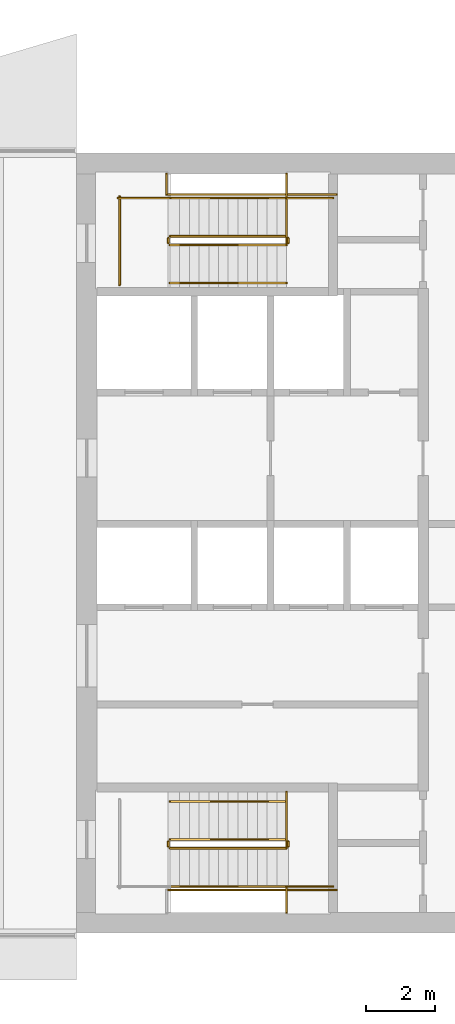
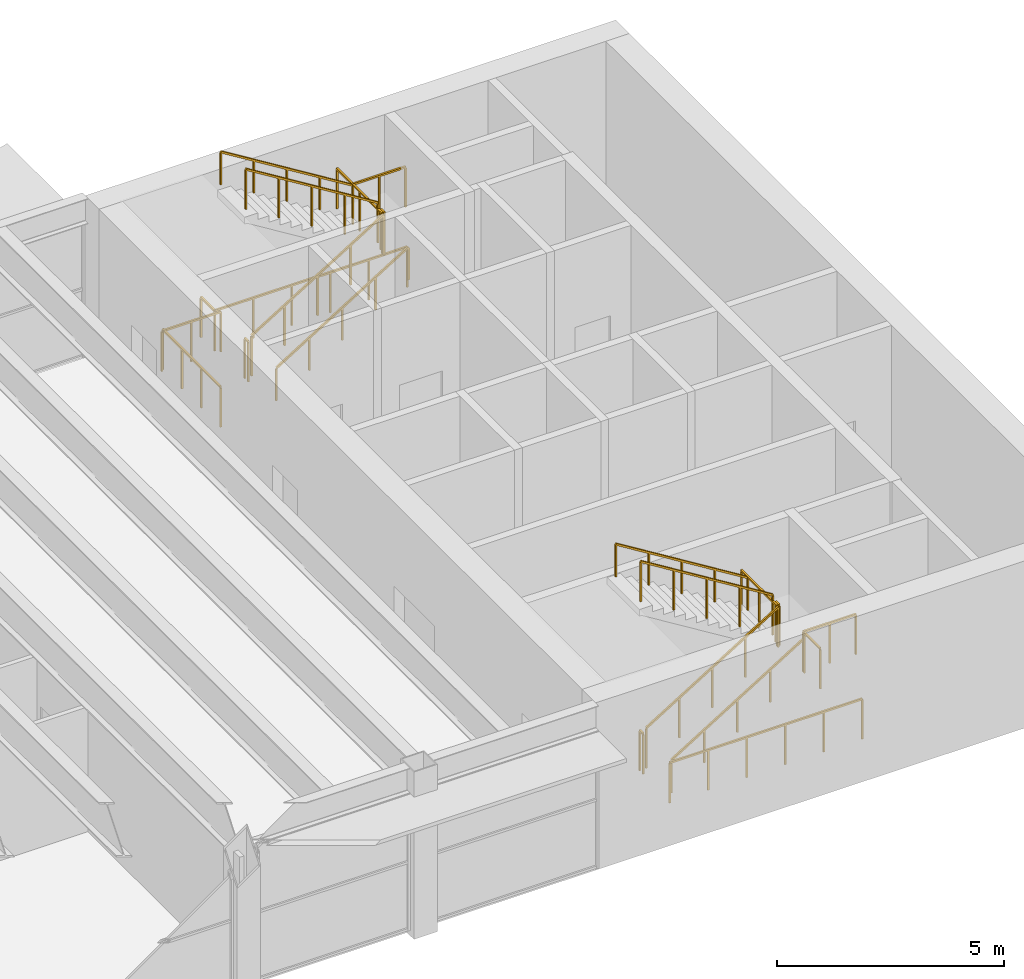
# One storey, part 14 of 14: 22 railings.
"""IFC4 building model written with IfcOpenShell, lengths in metres."""

from ifc_helpers import new_model, si_unit, direction, frame, origin, origin_2d, place, context, subcontext, project, spatial, rectangle, extrude, material, type_object, element, save


model = new_model("IFC4")

# Units and contexts
model_context = context("Model", 3, precision=1e-05, world=origin(), true_north=direction((0.0, 1.0)))
body_context = subcontext(model_context, "Body", "Model", "MODEL_VIEW")
ifc_project = project(units=[si_unit("LENGTHUNIT", "METRE"), si_unit("AREAUNIT", "SQUARE_METRE"), si_unit("VOLUMEUNIT", "CUBIC_METRE"), si_unit("PLANEANGLEUNIT", "RADIAN"), si_unit("MASSUNIT", "GRAM", prefix="KILO")], contexts=[model_context])

# Site, building, storey
site_placement = place(None, origin())
site = spatial("IfcSite", under=ifc_project, at=site_placement, CompositionType="ELEMENT")
building_placement = place(site_placement, origin())
building = spatial("IfcBuilding", under=site, at=building_placement, Name="Sennacour Bend Tower", CompositionType="ELEMENT")
storey_placement = place(building_placement, frame((0.0, 0.0, 336.5)))
storey = spatial("IfcBuildingStorey", under=building, at=storey_placement, Name="L77", CompositionType="ELEMENT", Elevation=336.5)

# Railings
ifc_material = material(Name="Stainless steel", Category="steel")
railing_type_1 = type_object("IfcRailingType", Name="RL-GUARD-1100", PredefinedType="GUARDRAIL", material=ifc_material)
railing_1_placement = place(storey_placement, frame((56.699951171875, 2.449951171875, 0.173095703125)))
element("IfcRailing", 1, at=railing_1_placement, inside=storey, type_object=railing_type_1, Name="L77 SA1 stair guard 1", PredefinedType="GUARDRAIL", context=body_context, shape_type="SweptSolid", body=[
    extrude(rectangle(XDim=0.048095703125, YDim=0.048095703125, at=origin_2d()), frame((0.0, 0.0, 1.076171875), z_axis=(0.850623216509, 0.0, 0.525775754039), x_axis=(0.0, 1.0, 0.0)), (0.0, 0.0, 1.0), 3.9501953125),
    extrude(rectangle(XDim=0.0419921875, YDim=0.0419921875, at=origin_2d()), origin(), (0.0, 0.0, 1.0), 1.052001953125),
    extrude(rectangle(XDim=0.0419921875, YDim=0.0419921875, at=origin_2d()), frame((0.840087890625, 0.0, 0.519287109375)), (0.0, 0.0, 1.0), 1.052001953125),
    extrude(rectangle(XDim=0.0419921875, YDim=0.0419921875, at=origin_2d()), frame((1.68017578125, 0.0, 1.03857421875)), (0.0, 0.0, 1.0), 1.052001953125),
    extrude(rectangle(XDim=0.0419921875, YDim=0.0419921875, at=origin_2d()), frame((2.52001953125, 0.0, 1.5576171875)), (0.0, 0.0, 1.0), 1.052001953125),
    extrude(rectangle(XDim=0.0419921875, YDim=0.0419921875, at=origin_2d()), frame((3.360107421875, 0.0, 2.076904296875)), (0.0, 0.0, 1.0), 1.052001953125),
])
railing_2_placement = place(storey_placement, frame((60.110107421875, 2.5, 2.25)))
element("IfcRailing", 2, at=railing_2_placement, inside=storey, type_object=railing_type_1, Name="L77 SA1 stair guard 2", PredefinedType="GUARDRAIL", context=body_context, shape_type="SweptSolid", body=[
    extrude(rectangle(XDim=0.048095703125, YDim=0.048095703125, at=origin_2d()), frame((0.0, 0.0, 1.076171875), z_axis=(0.0, 1.0, 0.0), x_axis=(-1.0, 0.0, 0.0)), (0.0, 0.0, 1.0), 0.14990234375),
    extrude(rectangle(XDim=0.0419921875, YDim=0.0419921875, at=origin_2d()), origin(), (0.0, 0.0, 1.0), 1.052001953125),
    extrude(rectangle(XDim=0.0419921875, YDim=0.0419921875, at=origin_2d()), frame((0.0, 0.14990234375, 0.0)), (0.0, 0.0, 1.0), 1.052001953125),
])
railing_3_placement = place(storey_placement, frame((60.06005859375, 1.35009765625, 2.25)))
element("IfcRailing", 3, at=railing_3_placement, inside=storey, type_object=railing_type_1, Name="L77 SA1 stair guard 3", PredefinedType="GUARDRAIL", context=body_context, shape_type="SweptSolid", body=[
    extrude(rectangle(XDim=0.048095703125, YDim=0.048095703125, at=origin_2d()), frame((0.0, 0.0, 1.076171875), z_axis=(1.0, 0.0, 0.0), x_axis=(0.0, 1.0, 0.0)), (0.0, 0.0, 1.0), 1.33984375),
    extrude(rectangle(XDim=0.0419921875, YDim=0.0419921875, at=origin_2d()), origin(), (0.0, 0.0, 1.0), 1.052001953125),
    extrude(rectangle(XDim=0.0419921875, YDim=0.0419921875, at=origin_2d()), frame((0.669921875, 0.0, 0.0)), (0.0, 0.0, 1.0), 1.052001953125),
    extrude(rectangle(XDim=0.0419921875, YDim=0.0419921875, at=origin_2d()), frame((1.33984375, 0.0, 0.0)), (0.0, 0.0, 1.0), 1.052001953125),
])
railing_4_placement = place(storey_placement, frame((60.06005859375, 2.699951171875, 2.423095703125)))
element("IfcRailing", 4, at=railing_4_placement, inside=storey, type_object=railing_type_1, Name="L77 SA1 stair guard 4", PredefinedType="GUARDRAIL", context=body_context, shape_type="SweptSolid", body=[
    extrude(rectangle(XDim=0.048095703125, YDim=0.048095703125, at=origin_2d()), frame((0.0, 0.0, 1.076171875), z_axis=(-0.850623216509, 0.0, 0.525775754039), x_axis=(0.0, -1.0, 0.0)), (0.0, 0.0, 1.0), 3.9501953125),
    extrude(rectangle(XDim=0.0419921875, YDim=0.0419921875, at=origin_2d()), origin(), (0.0, 0.0, 1.0), 1.052001953125),
    extrude(rectangle(XDim=0.0419921875, YDim=0.0419921875, at=origin_2d()), frame((-0.840087890625, 0.0, 0.519287109375)), (0.0, 0.0, 1.0), 1.052001953125),
    extrude(rectangle(XDim=0.0419921875, YDim=0.0419921875, at=origin_2d()), frame((-1.68017578125, 0.0, 1.03857421875)), (0.0, 0.0, 1.0), 1.052001953125),
    extrude(rectangle(XDim=0.0419921875, YDim=0.0419921875, at=origin_2d()), frame((-2.52001953125, 0.0, 1.5576171875)), (0.0, 0.0, 1.0), 1.052001953125),
    extrude(rectangle(XDim=0.0419921875, YDim=0.0419921875, at=origin_2d()), frame((-3.360107421875, 0.0, 2.076904296875)), (0.0, 0.0, 1.0), 1.052001953125),
])
railing_5_placement = place(storey_placement, frame((56.64990234375, 2.5, 0.0)))
element("IfcRailing", 5, at=railing_5_placement, inside=storey, type_object=railing_type_1, Name="L77 SA1 stair guard 5", PredefinedType="GUARDRAIL", context=body_context, shape_type="SweptSolid", body=[
    extrude(rectangle(XDim=0.048095703125, YDim=0.048095703125, at=origin_2d()), frame((0.0, 0.0, 1.076171875), z_axis=(0.0, 1.0, 0.0), x_axis=(-1.0, 0.0, 0.0)), (0.0, 0.0, 1.0), 0.14990234375),
    extrude(rectangle(XDim=0.0419921875, YDim=0.0419921875, at=origin_2d()), origin(), (0.0, 0.0, 1.0), 1.052001953125),
    extrude(rectangle(XDim=0.0419921875, YDim=0.0419921875, at=origin_2d()), frame((0.0, 0.14990234375, 0.0)), (0.0, 0.0, 1.0), 1.052001953125),
])
railing_6_placement = place(storey_placement, frame((56.60009765625, 1.25, 0.0)))
element("IfcRailing", 6, at=railing_6_placement, inside=storey, type_object=railing_type_1, Name="L77 SA1 stair guard 8", PredefinedType="GUARDRAIL", context=body_context, shape_type="SweptSolid", body=[
    extrude(rectangle(XDim=0.048095703125, YDim=0.048095703125, at=origin_2d()), frame((0.0, 0.0, 1.076171875), z_axis=(1.0, 0.0, 0.0), x_axis=(0.0, 1.0, 0.0)), (0.0, 0.0, 1.0), 4.89990234375),
    extrude(rectangle(XDim=0.0419921875, YDim=0.0419921875, at=origin_2d()), origin(), (0.0, 0.0, 1.0), 1.052001953125),
    extrude(rectangle(XDim=0.0419921875, YDim=0.0419921875, at=origin_2d()), frame((0.97998046875, 0.0, 0.0)), (0.0, 0.0, 1.0), 1.052001953125),
    extrude(rectangle(XDim=0.0419921875, YDim=0.0419921875, at=origin_2d()), frame((1.9599609375, 0.0, 0.0)), (0.0, 0.0, 1.0), 1.052001953125),
    extrude(rectangle(XDim=0.0419921875, YDim=0.0419921875, at=origin_2d()), frame((2.93994140625, 0.0, 0.0)), (0.0, 0.0, 1.0), 1.052001953125),
    extrude(rectangle(XDim=0.0419921875, YDim=0.0419921875, at=origin_2d()), frame((3.919921875, 0.0, 0.0)), (0.0, 0.0, 1.0), 1.052001953125),
    extrude(rectangle(XDim=0.0419921875, YDim=0.0419921875, at=origin_2d()), frame((4.89990234375, 0.0, 0.0)), (0.0, 0.0, 1.0), 1.052001953125),
])
railing_7_placement = place(storey_placement, frame((60.06005859375, 0.60009765625, 2.25)))
element("IfcRailing", 7, at=railing_7_placement, inside=storey, type_object=railing_type_1, Name="L77 SA1 landing edge guard 127", PredefinedType="GUARDRAIL", context=body_context, shape_type="SweptSolid", body=[
    extrude(rectangle(XDim=0.048095703125, YDim=0.048095703125, at=origin_2d()), frame((0.0, 0.0, 1.076171875), z_axis=(0.0, 1.0, 0.0), x_axis=(-1.0, 0.0, 0.0)), (0.0, 0.0, 1.0), 0.699951171875),
    extrude(rectangle(XDim=0.0419921875, YDim=0.0419921875, at=origin_2d()), origin(), (0.0, 0.0, 1.0), 1.052001953125),
    extrude(rectangle(XDim=0.0419921875, YDim=0.0419921875, at=origin_2d()), frame((0.0, 0.699951171875, 0.0)), (0.0, 0.0, 1.0), 1.052001953125),
])
railing_8_placement = place(storey_placement, frame((60.06005859375, 2.5, 2.25)))
element("IfcRailing", 8, at=railing_8_placement, inside=storey, type_object=railing_type_1, Name="L77 SA1 landing edge guard 128", PredefinedType="GUARDRAIL", context=body_context, shape_type="SweptSolid", body=[
    extrude(rectangle(XDim=0.048095703125, YDim=0.048095703125, at=origin_2d()), frame((0.0, 0.0, 1.076171875), z_axis=(0.0, 1.0, 0.0), x_axis=(-1.0, 0.0, 0.0)), (0.0, 0.0, 1.0), 1.574951171875),
    extrude(rectangle(XDim=0.0419921875, YDim=0.0419921875, at=origin_2d()), origin(), (0.0, 0.0, 1.0), 1.052001953125),
    extrude(rectangle(XDim=0.0419921875, YDim=0.0419921875, at=origin_2d()), frame((0.0, 0.78759765625, 0.0)), (0.0, 0.0, 1.0), 1.052001953125),
    extrude(rectangle(XDim=0.0419921875, YDim=0.0419921875, at=origin_2d()), frame((0.0, 1.574951171875, 0.0)), (0.0, 0.0, 1.0), 1.052001953125),
])
railing_9_placement = place(storey_placement, frame((56.699951171875, 19.85009765625, 0.173095703125)))
element("IfcRailing", 9, at=railing_9_placement, inside=storey, type_object=railing_type_1, Name="L77 SA2 stair guard 1", PredefinedType="GUARDRAIL", context=body_context, shape_type="SweptSolid", body=[
    extrude(rectangle(XDim=0.048095703125, YDim=0.048095703125, at=origin_2d()), frame((0.0, 0.0, 1.076171875), z_axis=(0.850623216509, 0.0, 0.525775754039), x_axis=(0.0, 1.0, 0.0)), (0.0, 0.0, 1.0), 3.9501953125),
    extrude(rectangle(XDim=0.0419921875, YDim=0.0419921875, at=origin_2d()), origin(), (0.0, 0.0, 1.0), 1.052001953125),
    extrude(rectangle(XDim=0.0419921875, YDim=0.0419921875, at=origin_2d()), frame((0.840087890625, 0.0, 0.519287109375)), (0.0, 0.0, 1.0), 1.052001953125),
    extrude(rectangle(XDim=0.0419921875, YDim=0.0419921875, at=origin_2d()), frame((1.68017578125, 0.0, 1.03857421875)), (0.0, 0.0, 1.0), 1.052001953125),
    extrude(rectangle(XDim=0.0419921875, YDim=0.0419921875, at=origin_2d()), frame((2.52001953125, 0.0, 1.5576171875)), (0.0, 0.0, 1.0), 1.052001953125),
    extrude(rectangle(XDim=0.0419921875, YDim=0.0419921875, at=origin_2d()), frame((3.360107421875, 0.0, 2.076904296875)), (0.0, 0.0, 1.0), 1.052001953125),
])
railing_10_placement = place(storey_placement, frame((60.110107421875, 19.89990234375, 2.25)))
element("IfcRailing", 10, at=railing_10_placement, inside=storey, type_object=railing_type_1, Name="L77 SA2 stair guard 2", PredefinedType="GUARDRAIL", context=body_context, shape_type="SweptSolid", body=[
    extrude(rectangle(XDim=0.048095703125, YDim=0.048095703125, at=origin_2d()), frame((0.0, 0.0, 1.076171875), z_axis=(0.0, 1.0, 0.0), x_axis=(-1.0, 0.0, 0.0)), (0.0, 0.0, 1.0), 0.150146484375),
    extrude(rectangle(XDim=0.0419921875, YDim=0.0419921875, at=origin_2d()), origin(), (0.0, 0.0, 1.0), 1.052001953125),
    extrude(rectangle(XDim=0.0419921875, YDim=0.0419921875, at=origin_2d()), frame((0.0, 0.150146484375, 0.0)), (0.0, 0.0, 1.0), 1.052001953125),
])
railing_11_placement = place(storey_placement, frame((60.06005859375, 21.199951171875, 2.25)))
element("IfcRailing", 11, at=railing_11_placement, inside=storey, type_object=railing_type_1, Name="L77 SA2 stair guard 3", PredefinedType="GUARDRAIL", context=body_context, shape_type="SweptSolid", body=[
    extrude(rectangle(XDim=0.048095703125, YDim=0.048095703125, at=origin_2d()), frame((0.0, 0.0, 1.076171875), z_axis=(1.0, 0.0, 0.0), x_axis=(0.0, 1.0, 0.0)), (0.0, 0.0, 1.0), 1.33984375),
    extrude(rectangle(XDim=0.0419921875, YDim=0.0419921875, at=origin_2d()), origin(), (0.0, 0.0, 1.0), 1.052001953125),
    extrude(rectangle(XDim=0.0419921875, YDim=0.0419921875, at=origin_2d()), frame((0.669921875, 0.0, 0.0)), (0.0, 0.0, 1.0), 1.052001953125),
    extrude(rectangle(XDim=0.0419921875, YDim=0.0419921875, at=origin_2d()), frame((1.33984375, 0.0, 0.0)), (0.0, 0.0, 1.0), 1.052001953125),
])
railing_12_placement = place(storey_placement, frame((60.06005859375, 20.10009765625, 2.423095703125)))
element("IfcRailing", 12, at=railing_12_placement, inside=storey, type_object=railing_type_1, Name="L77 SA2 stair guard 4", PredefinedType="GUARDRAIL", context=body_context, shape_type="SweptSolid", body=[
    extrude(rectangle(XDim=0.048095703125, YDim=0.048095703125, at=origin_2d()), frame((0.0, 0.0, 1.076171875), z_axis=(-0.850623216509, 0.0, 0.525775754039), x_axis=(0.0, -1.0, 0.0)), (0.0, 0.0, 1.0), 3.9501953125),
    extrude(rectangle(XDim=0.0419921875, YDim=0.0419921875, at=origin_2d()), origin(), (0.0, 0.0, 1.0), 1.052001953125),
    extrude(rectangle(XDim=0.0419921875, YDim=0.0419921875, at=origin_2d()), frame((-0.840087890625, 0.0, 0.519287109375)), (0.0, 0.0, 1.0), 1.052001953125),
    extrude(rectangle(XDim=0.0419921875, YDim=0.0419921875, at=origin_2d()), frame((-1.68017578125, 0.0, 1.03857421875)), (0.0, 0.0, 1.0), 1.052001953125),
    extrude(rectangle(XDim=0.0419921875, YDim=0.0419921875, at=origin_2d()), frame((-2.52001953125, 0.0, 1.5576171875)), (0.0, 0.0, 1.0), 1.052001953125),
    extrude(rectangle(XDim=0.0419921875, YDim=0.0419921875, at=origin_2d()), frame((-3.360107421875, 0.0, 2.076904296875)), (0.0, 0.0, 1.0), 1.052001953125),
])
railing_13_placement = place(storey_placement, frame((56.64990234375, 19.89990234375, 0.0)))
element("IfcRailing", 13, at=railing_13_placement, inside=storey, type_object=railing_type_1, Name="L77 SA2 stair guard 5", PredefinedType="GUARDRAIL", context=body_context, shape_type="SweptSolid", body=[
    extrude(rectangle(XDim=0.048095703125, YDim=0.048095703125, at=origin_2d()), frame((0.0, 0.0, 1.076171875), z_axis=(0.0, 1.0, 0.0), x_axis=(-1.0, 0.0, 0.0)), (0.0, 0.0, 1.0), 0.150146484375),
    extrude(rectangle(XDim=0.0419921875, YDim=0.0419921875, at=origin_2d()), origin(), (0.0, 0.0, 1.0), 1.052001953125),
    extrude(rectangle(XDim=0.0419921875, YDim=0.0419921875, at=origin_2d()), frame((0.0, 0.150146484375, 0.0)), (0.0, 0.0, 1.0), 1.052001953125),
])
railing_14_placement = place(storey_placement, frame((55.199951171875, 21.199951171875, 0.0)))
element("IfcRailing", 14, at=railing_14_placement, inside=storey, type_object=railing_type_1, Name="L77 SA2 stair guard 6", PredefinedType="GUARDRAIL", context=body_context, shape_type="SweptSolid", body=[
    extrude(rectangle(XDim=0.048095703125, YDim=0.048095703125, at=origin_2d()), frame((0.0, 0.0, 1.076171875), z_axis=(1.0, 0.0, 0.0), x_axis=(0.0, 1.0, 0.0)), (0.0, 0.0, 1.0), 1.5),
    extrude(rectangle(XDim=0.0419921875, YDim=0.0419921875, at=origin_2d()), origin(), (0.0, 0.0, 1.0), 1.052001953125),
    extrude(rectangle(XDim=0.0419921875, YDim=0.0419921875, at=origin_2d()), frame((0.75, 0.0, 0.0)), (0.0, 0.0, 1.0), 1.052001953125),
    extrude(rectangle(XDim=0.0419921875, YDim=0.0419921875, at=origin_2d()), frame((1.5, 0.0, 0.0)), (0.0, 0.0, 1.0), 1.052001953125),
])
railing_15_placement = place(storey_placement, frame((55.25, 18.699951171875, 0.0)))
element("IfcRailing", 15, at=railing_15_placement, inside=storey, type_object=railing_type_1, Name="L77 SA2 stair guard 7", PredefinedType="GUARDRAIL", context=body_context, shape_type="SweptSolid", body=[
    extrude(rectangle(XDim=0.048095703125, YDim=0.048095703125, at=origin_2d()), frame((0.0, 0.0, 1.076171875), z_axis=(0.0, 1.0, 0.0), x_axis=(-1.0, 0.0, 0.0)), (0.0, 0.0, 1.0), 2.550048828125),
    extrude(rectangle(XDim=0.0419921875, YDim=0.0419921875, at=origin_2d()), origin(), (0.0, 0.0, 1.0), 1.052001953125),
    extrude(rectangle(XDim=0.0419921875, YDim=0.0419921875, at=origin_2d()), frame((0.0, 0.85009765625, 0.0)), (0.0, 0.0, 1.0), 1.052001953125),
    extrude(rectangle(XDim=0.0419921875, YDim=0.0419921875, at=origin_2d()), frame((0.0, 1.699951171875, 0.0)), (0.0, 0.0, 1.0), 1.052001953125),
    extrude(rectangle(XDim=0.0419921875, YDim=0.0419921875, at=origin_2d()), frame((0.0, 2.550048828125, 0.0)), (0.0, 0.0, 1.0), 1.052001953125),
])
railing_16_placement = place(storey_placement, frame((56.60009765625, 21.300048828125, 0.0)))
element("IfcRailing", 16, at=railing_16_placement, inside=storey, type_object=railing_type_1, Name="L77 SA2 stair guard 8", PredefinedType="GUARDRAIL", context=body_context, shape_type="SweptSolid", body=[
    extrude(rectangle(XDim=0.048095703125, YDim=0.048095703125, at=origin_2d()), frame((0.0, 0.0, 1.076171875), z_axis=(1.0, 0.0, 0.0), x_axis=(0.0, 1.0, 0.0)), (0.0, 0.0, 1.0), 4.89990234375),
    extrude(rectangle(XDim=0.0419921875, YDim=0.0419921875, at=origin_2d()), origin(), (0.0, 0.0, 1.0), 1.052001953125),
    extrude(rectangle(XDim=0.0419921875, YDim=0.0419921875, at=origin_2d()), frame((0.97998046875, 0.0, 0.0)), (0.0, 0.0, 1.0), 1.052001953125),
    extrude(rectangle(XDim=0.0419921875, YDim=0.0419921875, at=origin_2d()), frame((1.9599609375, 0.0, 0.0)), (0.0, 0.0, 1.0), 1.052001953125),
    extrude(rectangle(XDim=0.0419921875, YDim=0.0419921875, at=origin_2d()), frame((2.93994140625, 0.0, 0.0)), (0.0, 0.0, 1.0), 1.052001953125),
    extrude(rectangle(XDim=0.0419921875, YDim=0.0419921875, at=origin_2d()), frame((3.919921875, 0.0, 0.0)), (0.0, 0.0, 1.0), 1.052001953125),
    extrude(rectangle(XDim=0.0419921875, YDim=0.0419921875, at=origin_2d()), frame((4.89990234375, 0.0, 0.0)), (0.0, 0.0, 1.0), 1.052001953125),
])
railing_17_placement = place(storey_placement, frame((60.06005859375, 19.89990234375, 2.25)))
element("IfcRailing", 17, at=railing_17_placement, inside=storey, type_object=railing_type_1, Name="L77 SA2 landing edge guard 100", PredefinedType="GUARDRAIL", context=body_context, shape_type="SweptSolid", body=[
    extrude(rectangle(XDim=0.048095703125, YDim=0.048095703125, at=origin_2d()), frame((0.0, 0.0, 1.076171875), z_axis=(0.0, 1.0, 0.0), x_axis=(-1.0, 0.0, 0.0)), (0.0, 0.0, 1.0), 2.0),
    extrude(rectangle(XDim=0.0419921875, YDim=0.0419921875, at=origin_2d()), origin(), (0.0, 0.0, 1.0), 1.052001953125),
    extrude(rectangle(XDim=0.0419921875, YDim=0.0419921875, at=origin_2d()), frame((0.0, 1.0, 0.0)), (0.0, 0.0, 1.0), 1.052001953125),
    extrude(rectangle(XDim=0.0419921875, YDim=0.0419921875, at=origin_2d()), frame((0.0, 2.0, 0.0)), (0.0, 0.0, 1.0), 1.052001953125),
])
railing_18_placement = place(storey_placement, frame((56.60009765625, 21.300048828125, 0.0)))
element("IfcRailing", 18, at=railing_18_placement, inside=storey, type_object=railing_type_1, Name="L77 SA2 landing edge guard 131", PredefinedType="GUARDRAIL", context=body_context, shape_type="SweptSolid", body=[
    extrude(rectangle(XDim=0.048095703125, YDim=0.048095703125, at=origin_2d()), frame((0.0, 0.0, 1.076171875), z_axis=(0.0, 1.0, 0.0), x_axis=(-1.0, 0.0, 0.0)), (0.0, 0.0, 1.0), 0.599853515625),
    extrude(rectangle(XDim=0.0419921875, YDim=0.0419921875, at=origin_2d()), origin(), (0.0, 0.0, 1.0), 1.052001953125),
    extrude(rectangle(XDim=0.0419921875, YDim=0.0419921875, at=origin_2d()), frame((0.0, 0.599853515625, 0.0)), (0.0, 0.0, 1.0), 1.052001953125),
])
railing_type_2 = type_object("IfcRailingType", Name="RL-HANDRAIL-900", PredefinedType="HANDRAIL", material=ifc_material)
railing_19_placement = place(storey_placement, frame((56.699951171875, 1.35009765625, 0.173095703125)))
element("IfcRailing", 19, at=railing_19_placement, inside=storey, type_object=railing_type_2, Name="L77 SA1 stair handrail 1", PredefinedType="HANDRAIL", context=body_context, shape_type="SweptSolid", body=[
    extrude(rectangle(XDim=0.048095703125, YDim=0.048095703125, at=origin_2d()), frame((0.0, 0.0, 0.8759765625), z_axis=(0.850623216509, 0.0, 0.525775754039), x_axis=(0.0, 1.0, 0.0)), (0.0, 0.0, 1.0), 3.9501953125),
    extrude(rectangle(XDim=0.0419921875, YDim=0.0419921875, at=origin_2d()), origin(), (0.0, 0.0, 1.0), 0.851806640625),
    extrude(rectangle(XDim=0.0419921875, YDim=0.0419921875, at=origin_2d()), frame((0.840087890625, 0.0, 0.519287109375)), (0.0, 0.0, 1.0), 0.851806640625),
    extrude(rectangle(XDim=0.0419921875, YDim=0.0419921875, at=origin_2d()), frame((1.68017578125, 0.0, 1.03857421875)), (0.0, 0.0, 1.0), 0.851806640625),
    extrude(rectangle(XDim=0.0419921875, YDim=0.0419921875, at=origin_2d()), frame((2.52001953125, 0.0, 1.5576171875)), (0.0, 0.0, 1.0), 0.851806640625),
    extrude(rectangle(XDim=0.0419921875, YDim=0.0419921875, at=origin_2d()), frame((3.360107421875, 0.0, 2.076904296875)), (0.0, 0.0, 1.0), 0.851806640625),
])
railing_20_placement = place(storey_placement, frame((60.06005859375, 3.800048828125, 2.423095703125)))
element("IfcRailing", 20, at=railing_20_placement, inside=storey, type_object=railing_type_2, Name="L77 SA1 stair handrail 2", PredefinedType="HANDRAIL", context=body_context, shape_type="SweptSolid", body=[
    extrude(rectangle(XDim=0.048095703125, YDim=0.048095703125, at=origin_2d()), frame((0.0, 0.0, 0.8759765625), z_axis=(-0.850623216509, 0.0, 0.525775754039), x_axis=(0.0, -1.0, 0.0)), (0.0, 0.0, 1.0), 3.9501953125),
    extrude(rectangle(XDim=0.0419921875, YDim=0.0419921875, at=origin_2d()), origin(), (0.0, 0.0, 1.0), 0.851806640625),
    extrude(rectangle(XDim=0.0419921875, YDim=0.0419921875, at=origin_2d()), frame((-0.840087890625, 0.0, 0.519287109375)), (0.0, 0.0, 1.0), 0.851806640625),
    extrude(rectangle(XDim=0.0419921875, YDim=0.0419921875, at=origin_2d()), frame((-1.68017578125, 0.0, 1.03857421875)), (0.0, 0.0, 1.0), 0.851806640625),
    extrude(rectangle(XDim=0.0419921875, YDim=0.0419921875, at=origin_2d()), frame((-2.52001953125, 0.0, 1.5576171875)), (0.0, 0.0, 1.0), 0.851806640625),
    extrude(rectangle(XDim=0.0419921875, YDim=0.0419921875, at=origin_2d()), frame((-3.360107421875, 0.0, 2.076904296875)), (0.0, 0.0, 1.0), 0.851806640625),
])
railing_21_placement = place(storey_placement, frame((56.699951171875, 18.75, 0.173095703125)))
element("IfcRailing", 21, at=railing_21_placement, inside=storey, type_object=railing_type_2, Name="L77 SA2 stair handrail 1", PredefinedType="HANDRAIL", context=body_context, shape_type="SweptSolid", body=[
    extrude(rectangle(XDim=0.048095703125, YDim=0.048095703125, at=origin_2d()), frame((0.0, 0.0, 0.8759765625), z_axis=(0.850623216509, 0.0, 0.525775754039), x_axis=(0.0, 1.0, 0.0)), (0.0, 0.0, 1.0), 3.9501953125),
    extrude(rectangle(XDim=0.0419921875, YDim=0.0419921875, at=origin_2d()), origin(), (0.0, 0.0, 1.0), 0.851806640625),
    extrude(rectangle(XDim=0.0419921875, YDim=0.0419921875, at=origin_2d()), frame((0.840087890625, 0.0, 0.519287109375)), (0.0, 0.0, 1.0), 0.851806640625),
    extrude(rectangle(XDim=0.0419921875, YDim=0.0419921875, at=origin_2d()), frame((1.68017578125, 0.0, 1.03857421875)), (0.0, 0.0, 1.0), 0.851806640625),
    extrude(rectangle(XDim=0.0419921875, YDim=0.0419921875, at=origin_2d()), frame((2.52001953125, 0.0, 1.5576171875)), (0.0, 0.0, 1.0), 0.851806640625),
    extrude(rectangle(XDim=0.0419921875, YDim=0.0419921875, at=origin_2d()), frame((3.360107421875, 0.0, 2.076904296875)), (0.0, 0.0, 1.0), 0.851806640625),
])
railing_22_placement = place(storey_placement, frame((60.06005859375, 21.199951171875, 2.423095703125)))
element("IfcRailing", 22, at=railing_22_placement, inside=storey, type_object=railing_type_2, Name="L77 SA2 stair handrail 2", PredefinedType="HANDRAIL", context=body_context, shape_type="SweptSolid", body=[
    extrude(rectangle(XDim=0.048095703125, YDim=0.048095703125, at=origin_2d()), frame((0.0, 0.0, 0.8759765625), z_axis=(-0.850623216509, 0.0, 0.525775754039), x_axis=(0.0, -1.0, 0.0)), (0.0, 0.0, 1.0), 3.9501953125),
    extrude(rectangle(XDim=0.0419921875, YDim=0.0419921875, at=origin_2d()), origin(), (0.0, 0.0, 1.0), 0.851806640625),
    extrude(rectangle(XDim=0.0419921875, YDim=0.0419921875, at=origin_2d()), frame((-0.840087890625, 0.0, 0.519287109375)), (0.0, 0.0, 1.0), 0.851806640625),
    extrude(rectangle(XDim=0.0419921875, YDim=0.0419921875, at=origin_2d()), frame((-1.68017578125, 0.0, 1.03857421875)), (0.0, 0.0, 1.0), 0.851806640625),
    extrude(rectangle(XDim=0.0419921875, YDim=0.0419921875, at=origin_2d()), frame((-2.52001953125, 0.0, 1.5576171875)), (0.0, 0.0, 1.0), 0.851806640625),
    extrude(rectangle(XDim=0.0419921875, YDim=0.0419921875, at=origin_2d()), frame((-3.360107421875, 0.0, 2.076904296875)), (0.0, 0.0, 1.0), 0.851806640625),
])

save(model, "model.ifc")
